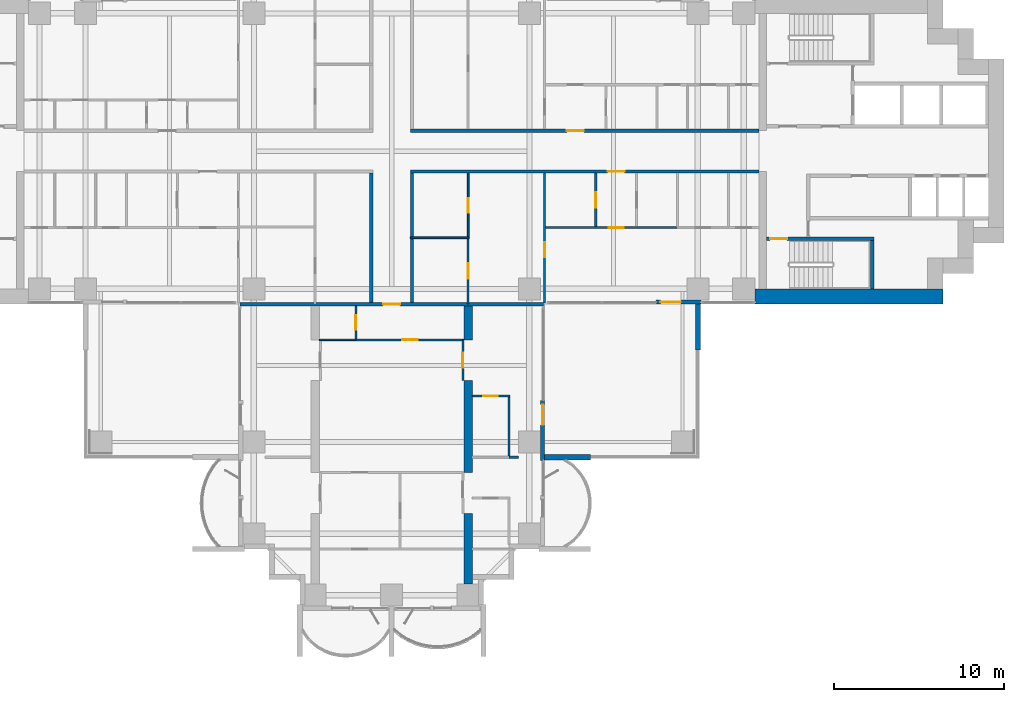
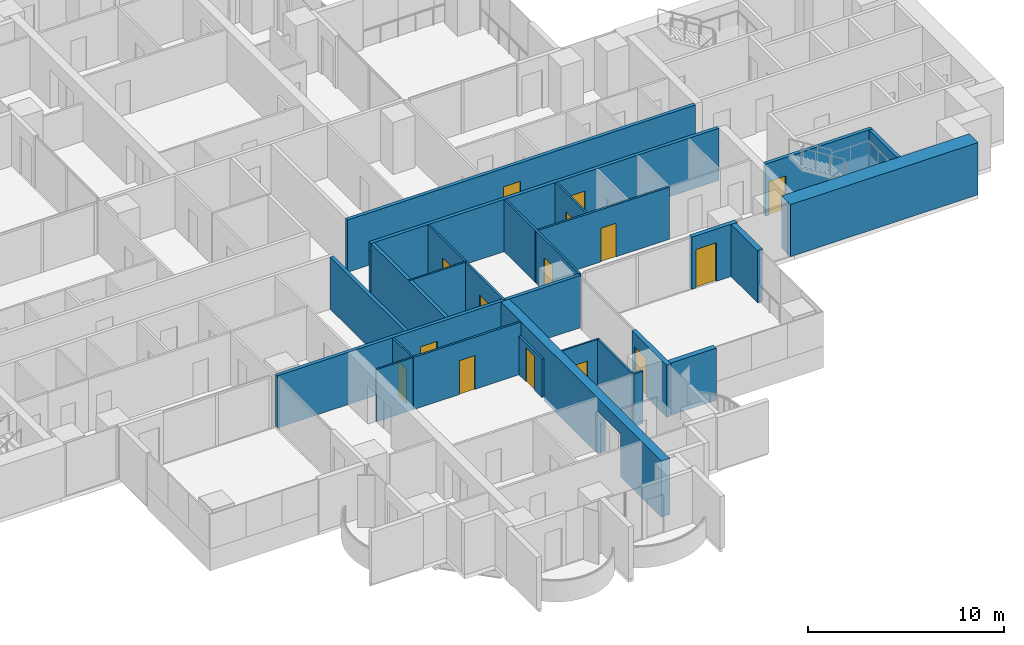
# One storey, part 12 of 21: 26 walls, 15 doors, 15 openings.
"""IFC4 building model written with IfcOpenShell, lengths in metres."""

from ifc_helpers import new_model, si_unit, direction, frame, frame_2d, origin, place, context, subcontext, project, spatial, polyline, rectangle, outline, extrude, material, layer, layer_set, material_profile, profile_set, type_object, element, fill, save


model = new_model("IFC4")

# Units and contexts
model_context = context("Model", 3, precision=1e-05, world=origin(), true_north=direction((0.0, 1.0)))
body_context = subcontext(model_context, "Body", "Model", "MODEL_VIEW")
ifc_project = project(units=[si_unit("LENGTHUNIT", "METRE"), si_unit("AREAUNIT", "SQUARE_METRE"), si_unit("VOLUMEUNIT", "CUBIC_METRE"), si_unit("PLANEANGLEUNIT", "RADIAN"), si_unit("MASSUNIT", "GRAM", prefix="KILO")], contexts=[model_context])

# Site, building, storey
site_placement = place(None, origin())
site = spatial("IfcSite", under=ifc_project, at=site_placement, CompositionType="ELEMENT")
building_placement = place(site_placement, origin())
building = spatial("IfcBuilding", under=site, at=building_placement, Name="Perihelion Cross Residences", CompositionType="ELEMENT")
storey_placement = place(building_placement, frame((0.0, 0.0, 54.0)))
storey = spatial("IfcBuildingStorey", under=building, at=storey_placement, Name="L10", CompositionType="ELEMENT", Elevation=54.0)

# Wall, opening, door
ifc_material_1 = material(Name="Plasterboard partition")
ifc_layer_1 = layer(ifc_material_1, 0.199951171875)
ifc_layer_set_1 = layer_set([ifc_layer_1], Name="Apartment separation wall 200")
wall_type_1 = type_object("IfcWallType", Name="Apartment separation wall 200", PredefinedType="PARTITIONING", material=ifc_layer_set_1)
wall_1_placement = place(storey_placement, frame((1.10009765625, 1.199951171875, 0.0), z_axis=(0.0, 0.0, 1.0), x_axis=(1.0, 0.0, 0.0)))
wall_1 = element("IfcWall", 1, at=wall_1_placement, inside=storey, type_object=wall_type_1, Name="Partition L10 W001", PredefinedType="PARTITIONING", context=body_context, shape_type="SweptSolid", body=[
    extrude(rectangle(XDim=20.5, YDim=0.199951171875, at=frame_2d((10.25, 0.0))), origin(), (0.0, 0.0, 1.0), 3.25),
])
opening_1_placement = place(wall_1_placement, frame((9.199951171875, 0.0, 0.0)))
opening_1 = element("IfcOpeningElement", 2, at=opening_1_placement, cuts=wall_1, Name="Opening L10.A47", PredefinedType="OPENING", context=body_context, shape_type="SweptSolid", body=[
    extrude(rectangle(XDim=1.0, YDim=2.10009765625, at=frame_2d((0.5, 1.050048828125))), frame((0.0, 0.10986328125, 0.0), z_axis=(0.0, -1.0, 0.0), x_axis=(1.0, 0.0, 0.0)), (0.0, 0.0, 1.0), 0.219970703125),
])
ifc_material_2 = material(Name="Timber door leaf", Category="wood")
door_type_1 = type_object("IfcDoorType", Name="Flat entrance door 1000 x 2100", OperationType="SINGLE_SWING_LEFT", PredefinedType="DOOR", material=ifc_material_2)
door_1_placement = place(opening_1_placement, origin())
door_1 = element("IfcDoor", 3, at=door_1_placement, inside=storey, type_object=door_type_1, Name="Door L10.A47", OperationType="SINGLE_SWING_LEFT", OverallHeight=2.10009765625, OverallWidth=1.0, PredefinedType="DOOR", context=body_context, shape_type="SweptSolid", body=[
    extrude(rectangle(XDim=1.0, YDim=2.10009765625, at=frame_2d((0.5, 1.050048828125))), frame((0.0, 0.02490234375, 0.0), z_axis=(0.0, -1.0, 0.0), x_axis=(1.0, 0.0, 0.0)), (0.0, 0.0, 1.0), 0.050048828125),
])
fill(opening_1, door_1)

wall_2_placement = place(storey_placement, frame((21.60009765625, -1.199951171875, 0.0), z_axis=(0.0, 0.0, 1.0), x_axis=(-1.0, 0.0, 0.0)))
wall_2 = element("IfcWall", 4, at=wall_2_placement, inside=storey, type_object=wall_type_1, Name="Partition L10 W003", PredefinedType="PARTITIONING", context=body_context, shape_type="SweptSolid", body=[
    extrude(rectangle(XDim=20.5, YDim=0.199951171875, at=frame_2d((10.25, 0.0))), origin(), (0.0, 0.0, 1.0), 3.25),
])
opening_2_placement = place(wall_2_placement, frame((7.89990234375, 0.0, 0.0)))
opening_2 = element("IfcOpeningElement", 5, at=opening_2_placement, cuts=wall_2, Name="Opening L10.A48", PredefinedType="OPENING", context=body_context, shape_type="SweptSolid", body=[
    extrude(rectangle(XDim=1.0, YDim=2.10009765625, at=frame_2d((0.5, 1.050048828125))), frame((0.0, 0.10986328125, 0.0), z_axis=(0.0, -1.0, 0.0), x_axis=(1.0, 0.0, 0.0)), (0.0, 0.0, 1.0), 0.219970703125),
])
door_2_placement = place(opening_2_placement, origin())
door_2 = element("IfcDoor", 6, at=door_2_placement, inside=storey, type_object=door_type_1, Name="Door L10.A48", OperationType="SINGLE_SWING_RIGHT", OverallHeight=2.10009765625, OverallWidth=1.0, PredefinedType="DOOR", context=body_context, shape_type="SweptSolid", body=[
    extrude(rectangle(XDim=1.0, YDim=2.10009765625, at=frame_2d((0.5, 1.050048828125))), frame((0.0, 0.02490234375, 0.0), z_axis=(0.0, -1.0, 0.0), x_axis=(1.0, 0.0, 0.0)), (0.0, 0.0, 1.0), 0.050048828125),
])
fill(opening_2, door_2)

# Walls
for number, where, z_axis, x_axis, name in (
    (7, (1.199951171875, -1.300048828125, 0.0), (0.0, 0.0, 1.0), (0.0, -1.0, 0.0), "Partition L10 W004"),
    (8, (-1.199951171875, -8.89990234375, 0.0), (0.0, 0.0, 1.0), (0.0, 1.0, 0.0), "Partition L10 W008"),
):
    element("IfcWall", number, at=place(storey_placement, frame(where, z_axis=z_axis, x_axis=x_axis)), inside=storey, type_object=wall_type_1, Name=name, PredefinedType="PARTITIONING", context=body_context, shape_type="SweptSolid", body=[
        extrude(rectangle(XDim=7.599853515625, YDim=0.199951171875, at=frame_2d((3.7998046875, 0.0))), origin(), (0.0, 0.0, 1.0), 3.25),
    ])

# Wall, opening, door
wall_3_placement = place(storey_placement, frame((8.919921875, -9.0, 0.0), z_axis=(0.0, 0.0, 1.0), x_axis=(-1.0, 0.0, 0.0)))
wall_3 = element("IfcWall", 9, at=wall_3_placement, inside=storey, type_object=wall_type_1, Name="Partition L10 W010", PredefinedType="PARTITIONING", context=body_context, shape_type="SweptSolid", body=[
    extrude(rectangle(XDim=17.83984375, YDim=0.199951171875, at=frame_2d((8.919921875, 0.0))), origin(), (0.0, 0.0, 1.0), 3.25),
])
opening_3_placement = place(wall_3_placement, frame((8.419921875, 0.0, 0.0)))
opening_3 = element("IfcOpeningElement", 10, at=opening_3_placement, cuts=wall_3, Name="Opening L10.A39", PredefinedType="OPENING", context=body_context, shape_type="SweptSolid", body=[
    extrude(rectangle(XDim=1.0, YDim=2.10009765625, at=frame_2d((0.5, 1.050048828125))), frame((0.0, 0.10986328125, 0.0), z_axis=(0.0, -1.0, 0.0), x_axis=(1.0, 0.0, 0.0)), (0.0, 0.0, 1.0), 0.219970703125),
])
door_3_placement = place(opening_3_placement, origin())
door_3 = element("IfcDoor", 11, at=door_3_placement, inside=storey, type_object=door_type_1, Name="Door L10.A39", OperationType="SINGLE_SWING_LEFT", OverallHeight=2.10009765625, OverallWidth=1.0, PredefinedType="DOOR", context=body_context, shape_type="SweptSolid", body=[
    extrude(rectangle(XDim=1.0, YDim=2.10009765625, at=frame_2d((0.5, 1.050048828125))), frame((0.0, 0.02490234375, 0.0), z_axis=(0.0, -1.0, 0.0), x_axis=(1.0, 0.0, 0.0)), (0.0, 0.0, 1.0), 0.050048828125),
])
fill(opening_3, door_3)

ifc_material_3 = material(Name="Concrete C30/37, bronze-clad", Category="concrete")
ifc_layer_2 = layer(ifc_material_3, 0.25)
ifc_layer_set_2 = layer_set([ifc_layer_2], Name="Bronze-clad pier wall 250")
wall_type_2 = type_object("IfcWallType", Name="Bronze-clad pier wall 250", PredefinedType="SOLIDWALL", material=ifc_layer_set_2)
wall_4_placement = place(storey_placement, frame((8.875, -18.199951171875, 0.0), z_axis=(0.0, 0.0, 1.0), x_axis=(0.0, 1.0, 0.0)))
wall_4 = element("IfcWall", 12, at=wall_4_placement, inside=storey, type_object=wall_type_2, Name="Wall FW1 L10 south side east bay 2 pier", PredefinedType="SOLIDWALL", context=body_context, shape_type="SweptSolid", body=[
    extrude(rectangle(XDim=3.550048828125, YDim=0.25, at=frame_2d((1.77490234375, 0.0))), origin(), (0.0, 0.0, 1.0), 3.25),
])
opening_4_placement = place(wall_4_placement, frame((2.10009765625, 0.0, 0.0)))
opening_4 = element("IfcOpeningElement", 13, at=opening_4_placement, cuts=wall_4, Name="Opening L10.E15", PredefinedType="OPENING", context=body_context, shape_type="SweptSolid", body=[
    extrude(rectangle(XDim=1.199951171875, YDim=2.39990234375, at=frame_2d((0.60009765625, 1.199951171875))), frame((0.0, 0.135009765625, 0.0), z_axis=(0.0, -1.0, 0.0), x_axis=(1.0, 0.0, 0.0)), (0.0, 0.0, 1.0), 0.27001953125),
])
ifc_material_4 = material(Name="Bronze anodised aluminium, glazed", Category="aluminium")
door_type_2 = type_object("IfcDoorType", Name="Balcony door 1200 x 2400", OperationType="NOTDEFINED", PredefinedType="DOOR", material=ifc_material_4)
door_4_placement = place(opening_4_placement, origin())
door_4 = element("IfcDoor", 14, at=door_4_placement, inside=storey, type_object=door_type_2, Name="Door L10.E15 south side east bay 2", OperationType="SINGLE_SWING_RIGHT", OverallHeight=2.39990234375, OverallWidth=1.199951171875, PredefinedType="DOOR", context=body_context, shape_type="SweptSolid", body=[
    extrude(rectangle(XDim=1.199951171875, YDim=2.39990234375, at=frame_2d((0.60009765625, 1.199951171875))), frame((0.0, 0.02490234375, 0.0), z_axis=(0.0, -1.0, 0.0), x_axis=(1.0, 0.0, 0.0)), (0.0, 0.0, 1.0), 0.050048828125),
])
fill(opening_4, door_4)

wall_5_placement = place(storey_placement, frame((15.550048828125, -8.875, 0.0), z_axis=(0.0, 0.0, 1.0), x_axis=(1.0, 0.0, 0.0)))
wall_5 = element("IfcWall", 15, at=wall_5_placement, inside=storey, type_object=wall_type_2, Name="Wall FW1 L10 east side south bay 1 pier", PredefinedType="SOLIDWALL", context=body_context, shape_type="SweptSolid", body=[
    extrude(rectangle(XDim=2.64990234375, YDim=0.25, at=frame_2d((1.324951171875, 0.0))), origin(), (0.0, 0.0, 1.0), 3.25),
])
opening_5_placement = place(wall_5_placement, frame((0.25, 0.0, 0.0)))
opening_5 = element("IfcOpeningElement", 16, at=opening_5_placement, cuts=wall_5, Name="Opening L10.E16", PredefinedType="OPENING", context=body_context, shape_type="SweptSolid", body=[
    extrude(rectangle(XDim=1.199951171875, YDim=2.39990234375, at=frame_2d((0.60009765625, 1.199951171875))), frame((0.0, 0.135009765625, 0.0), z_axis=(0.0, -1.0, 0.0), x_axis=(1.0, 0.0, 0.0)), (0.0, 0.0, 1.0), 0.27001953125),
])
door_5_placement = place(opening_5_placement, origin())
door_5 = element("IfcDoor", 17, at=door_5_placement, inside=storey, type_object=door_type_2, Name="Door L10.E16 east side south bay 1", OperationType="SINGLE_SWING_LEFT", OverallHeight=2.39990234375, OverallWidth=1.199951171875, PredefinedType="DOOR", context=body_context, shape_type="SweptSolid", body=[
    extrude(rectangle(XDim=1.199951171875, YDim=2.39990234375, at=frame_2d((0.60009765625, 1.199951171875))), frame((0.0, 0.02490234375, 0.0), z_axis=(0.0, -1.0, 0.0), x_axis=(1.0, 0.0, 0.0)), (0.0, 0.0, 1.0), 0.050048828125),
])
fill(opening_5, door_5)

# Wall
ifc_material_5 = material(Name="Concrete C60/75", Category="concrete")
ifc_layer_3 = layer(ifc_material_5, 0.89990234375)
ifc_layer_set_3 = layer_set([ifc_layer_3], Name="Core wall, outer 900")
wall_type_3 = type_object("IfcWallType", Name="Core wall, outer 900", PredefinedType="SHEAR", material=ifc_layer_set_3)
wall_6_placement = place(storey_placement, frame((21.35009765625, -8.550048828125, 0.0), z_axis=(0.0, 0.0, 1.0), x_axis=(1.0, 0.0, 0.0)))
element("IfcWall", 18, at=wall_6_placement, inside=storey, type_object=wall_type_3, Name="East core core wall, outer", PredefinedType="SHEAR", context=body_context, shape_type="SweptSolid", body=[
    extrude(rectangle(XDim=11.0498046875, YDim=0.89990234375, at=frame_2d((5.52490234375, 0.0))), origin(), (0.0, 0.0, 1.0), 3.25),
])

# Wall, opening, door
ifc_material_6 = material(Name="Plasterboard partition")
ifc_layer_4 = layer(ifc_material_6, 0.1201171875)
ifc_layer_set_4 = layer_set([ifc_layer_4], Name="Infill panel 120")
wall_type_4 = type_object("IfcWallType", Name="Infill panel 120", PredefinedType="PARTITIONING", material=ifc_layer_set_4)
wall_7_placement = place(storey_placement, frame((4.18994140625, -11.10009765625, 0.0), z_axis=(0.0, 0.0, 1.0), x_axis=(0.0, -1.0, 0.0)))
wall_7 = element("IfcWall", 19, at=wall_7_placement, inside=storey, type_object=wall_type_4, Name="Partition L10 WI05", PredefinedType="PARTITIONING", context=body_context, shape_type="SweptSolid", body=[
    extrude(rectangle(XDim=2.39990234375, YDim=0.1201171875, at=frame_2d((1.199951171875, 0.0))), origin(), (0.0, 0.0, 1.0), 2.39990234375),
])
opening_6_placement = place(wall_7_placement, frame((0.75, 0.0, 0.0)))
opening_6 = element("IfcOpeningElement", 20, at=opening_6_placement, cuts=wall_7, Name="Opening L10.A55", PredefinedType="OPENING", context=body_context, shape_type="SweptSolid", body=[
    extrude(rectangle(XDim=0.89990234375, YDim=2.10009765625, at=frame_2d((0.449951171875, 1.050048828125))), frame((0.0, 0.070068359375, 0.0), z_axis=(0.0, -1.0, 0.0), x_axis=(1.0, 0.0, 0.0)), (0.0, 0.0, 1.0), 0.14013671875),
])
ifc_material_7 = material(Name="Timber door leaf", Category="wood")
door_type_3 = type_object("IfcDoorType", Name="Interior room door 900 x 2100", OperationType="SINGLE_SWING_LEFT", PredefinedType="DOOR", material=ifc_material_7)
door_6_placement = place(opening_6_placement, origin())
door_6 = element("IfcDoor", 21, at=door_6_placement, inside=storey, type_object=door_type_3, Name="Door L10.A55", OperationType="SINGLE_SWING_RIGHT", OverallHeight=2.10009765625, OverallWidth=0.89990234375, PredefinedType="DOOR", context=body_context, shape_type="SweptSolid", body=[
    extrude(rectangle(XDim=0.89990234375, YDim=2.10009765625, at=frame_2d((0.449951171875, 1.050048828125))), frame((0.0, 0.02490234375, 0.0), z_axis=(0.0, -1.0, 0.0), x_axis=(1.0, 0.0, 0.0)), (0.0, 0.0, 1.0), 0.050048828125),
])
fill(opening_6, door_6)

ifc_material_8 = material(Name="Plasterboard partition")
ifc_layer_5 = layer(ifc_material_8, 0.1201171875)
ifc_layer_set_5 = layer_set([ifc_layer_5], Name="Partition wall 120")
wall_type_5 = type_object("IfcWallType", Name="Partition wall 120", PredefinedType="PARTITIONING", material=ifc_layer_set_5)
wall_8_placement = place(storey_placement, frame((12.0, -1.300048828125, 0.0), z_axis=(0.0, 0.0, 1.0), x_axis=(0.0, -1.0, 0.0)))
wall_8 = element("IfcWall", 22, at=wall_8_placement, inside=storey, type_object=wall_type_5, Name="Partition L10 W020", PredefinedType="PARTITIONING", context=body_context, shape_type="SweptSolid", body=[
    extrude(rectangle(XDim=3.139892578125, YDim=0.1201171875, at=frame_2d((1.56982421875, 0.0))), origin(), (0.0, 0.0, 1.0), 3.25),
])
opening_7_placement = place(wall_8_placement, frame((1.1201171875, 0.0, 0.0)))
opening_7 = element("IfcOpeningElement", 23, at=opening_7_placement, cuts=wall_8, Name="Opening L10.A11", PredefinedType="OPENING", context=body_context, shape_type="SweptSolid", body=[
    extrude(rectangle(XDim=0.89990234375, YDim=2.10009765625, at=frame_2d((0.449951171875, 1.050048828125))), frame((0.0, 0.070068359375, 0.0), z_axis=(0.0, -1.0, 0.0), x_axis=(1.0, 0.0, 0.0)), (0.0, 0.0, 1.0), 0.14013671875),
])
door_7_placement = place(opening_7_placement, origin())
door_7 = element("IfcDoor", 24, at=door_7_placement, inside=storey, type_object=door_type_3, Name="Door L10.A11", OperationType="SINGLE_SWING_RIGHT", OverallHeight=2.10009765625, OverallWidth=0.89990234375, PredefinedType="DOOR", context=body_context, shape_type="SweptSolid", body=[
    extrude(rectangle(XDim=0.89990234375, YDim=2.10009765625, at=frame_2d((0.449951171875, 1.050048828125))), frame((0.0, 0.02490234375, 0.0), z_axis=(0.0, -1.0, 0.0), x_axis=(1.0, 0.0, 0.0)), (0.0, 0.0, 1.0), 0.050048828125),
])
fill(opening_7, door_7)

wall_9_placement = place(storey_placement, frame((16.800048828125, -4.5, 0.0), z_axis=(0.0, 0.0, 1.0), x_axis=(-1.0, 0.0, 0.0)))
wall_9 = element("IfcWall", 25, at=wall_9_placement, inside=storey, type_object=wall_type_5, Name="Partition L10 W021", PredefinedType="PARTITIONING", context=body_context, shape_type="SweptSolid", body=[
    extrude(rectangle(XDim=7.860107421875, YDim=0.1201171875, at=frame_2d((3.93017578125, 0.0))), origin(), (0.0, 0.0, 1.0), 3.25),
])
opening_8_placement = place(wall_9_placement, frame((3.14990234375, 0.0, 0.0)))
opening_8 = element("IfcOpeningElement", 26, at=opening_8_placement, cuts=wall_9, Name="Opening L10.A14", PredefinedType="OPENING", context=body_context, shape_type="SweptSolid", body=[
    extrude(rectangle(XDim=0.89990234375, YDim=2.10009765625, at=frame_2d((0.449951171875, 1.050048828125))), frame((0.0, 0.070068359375, 0.0), z_axis=(0.0, -1.0, 0.0), x_axis=(1.0, 0.0, 0.0)), (0.0, 0.0, 1.0), 0.14013671875),
])
door_8_placement = place(opening_8_placement, origin())
door_8 = element("IfcDoor", 27, at=door_8_placement, inside=storey, type_object=door_type_3, Name="Door L10.A14", OperationType="SINGLE_SWING_RIGHT", OverallHeight=2.10009765625, OverallWidth=0.89990234375, PredefinedType="DOOR", context=body_context, shape_type="SweptSolid", body=[
    extrude(rectangle(XDim=0.89990234375, YDim=2.10009765625, at=frame_2d((0.449951171875, 1.050048828125))), frame((0.0, 0.02490234375, 0.0), z_axis=(0.0, -1.0, 0.0), x_axis=(1.0, 0.0, 0.0)), (0.0, 0.0, 1.0), 0.050048828125),
])
fill(opening_8, door_8)

wall_10_placement = place(storey_placement, frame((9.0, -8.919921875, 0.0), z_axis=(0.0, 0.0, 1.0), x_axis=(0.0, 1.0, 0.0)))
wall_10 = element("IfcWall", 28, at=wall_10_placement, inside=storey, type_object=wall_type_5, Name="Partition L10 W022", PredefinedType="PARTITIONING", context=body_context, shape_type="SweptSolid", body=[
    extrude(rectangle(XDim=7.619873046875, YDim=0.1201171875, at=frame_2d((3.81005859375, 0.0))), origin(), (0.0, 0.0, 1.0), 3.25),
])
opening_9_placement = place(wall_10_placement, frame((2.669921875, 0.0, 0.0)))
opening_9 = element("IfcOpeningElement", 29, at=opening_9_placement, cuts=wall_10, Name="Opening L10.A10", PredefinedType="OPENING", context=body_context, shape_type="SweptSolid", body=[
    extrude(rectangle(XDim=0.89990234375, YDim=2.10009765625, at=frame_2d((0.449951171875, 1.050048828125))), frame((0.0, 0.070068359375, 0.0), z_axis=(0.0, -1.0, 0.0), x_axis=(1.0, 0.0, 0.0)), (0.0, 0.0, 1.0), 0.14013671875),
])
door_9_placement = place(opening_9_placement, origin())
door_9 = element("IfcDoor", 30, at=door_9_placement, inside=storey, type_object=door_type_3, Name="Door L10.A10", OperationType="SINGLE_SWING_RIGHT", OverallHeight=2.10009765625, OverallWidth=0.89990234375, PredefinedType="DOOR", context=body_context, shape_type="SweptSolid", body=[
    extrude(rectangle(XDim=0.89990234375, YDim=2.10009765625, at=frame_2d((0.449951171875, 1.050048828125))), frame((0.0, 0.02490234375, 0.0), z_axis=(0.0, -1.0, 0.0), x_axis=(1.0, 0.0, 0.0)), (0.0, 0.0, 1.0), 0.050048828125),
])
fill(opening_9, door_9)

wall_11_placement = place(storey_placement, frame((4.5, -9.0, 0.0), z_axis=(0.0, 0.0, 1.0), x_axis=(0.0, 1.0, 0.0)))
wall_11 = element("IfcWall", 31, at=wall_11_placement, inside=storey, type_object=wall_type_5, Name="Partition L10 W029", PredefinedType="PARTITIONING", context=body_context, shape_type="SweptSolid", body=[
    extrude(rectangle(XDim=3.89990234375, YDim=0.1201171875, at=frame_2d((1.949951171875, 0.0))), origin(), (0.0, 0.0, 1.0), 3.25),
])
opening_10_placement = place(wall_11_placement, frame((1.5, 0.0, 0.0)))
opening_10 = element("IfcOpeningElement", 32, at=opening_10_placement, cuts=wall_11, Name="Opening L10.A12", PredefinedType="OPENING", context=body_context, shape_type="SweptSolid", body=[
    extrude(rectangle(XDim=0.89990234375, YDim=2.10009765625, at=frame_2d((0.449951171875, 1.050048828125))), frame((0.0, 0.070068359375, 0.0), z_axis=(0.0, -1.0, 0.0), x_axis=(1.0, 0.0, 0.0)), (0.0, 0.0, 1.0), 0.14013671875),
])
door_10_placement = place(opening_10_placement, origin())
door_10 = element("IfcDoor", 33, at=door_10_placement, inside=storey, type_object=door_type_3, Name="Door L10.A12", OperationType="SINGLE_SWING_LEFT", OverallHeight=2.10009765625, OverallWidth=0.89990234375, PredefinedType="DOOR", context=body_context, shape_type="SweptSolid", body=[
    extrude(rectangle(XDim=0.89990234375, YDim=2.10009765625, at=frame_2d((0.449951171875, 1.050048828125))), frame((0.0, 0.02490234375, 0.0), z_axis=(0.0, -1.0, 0.0), x_axis=(1.0, 0.0, 0.0)), (0.0, 0.0, 1.0), 0.050048828125),
])
fill(opening_10, door_10)

wall_12_placement = place(storey_placement, frame((4.25, -11.10009765625, 0.0), z_axis=(0.0, 0.0, 1.0), x_axis=(-1.0, 0.0, 0.0)))
wall_12 = element("IfcWall", 34, at=wall_12_placement, inside=storey, type_object=wall_type_5, Name="Partition L10 W067", PredefinedType="PARTITIONING", context=body_context, shape_type="SweptSolid", body=[
    extrude(rectangle(XDim=6.35009765625, YDim=0.1201171875, at=frame_2d((3.175048828125, 0.0))), origin(), (0.0, 0.0, 1.0), 3.25),
])
opening_11_placement = place(wall_12_placement, frame((2.72509765625, 0.0, 0.0)))
opening_11 = element("IfcOpeningElement", 35, at=opening_11_placement, cuts=wall_12, Name="Opening L10.A41", PredefinedType="OPENING", context=body_context, shape_type="SweptSolid", body=[
    extrude(rectangle(XDim=0.89990234375, YDim=2.10009765625, at=frame_2d((0.449951171875, 1.050048828125))), frame((0.0, 0.070068359375, 0.0), z_axis=(0.0, -1.0, 0.0), x_axis=(1.0, 0.0, 0.0)), (0.0, 0.0, 1.0), 0.14013671875),
])
door_11_placement = place(opening_11_placement, origin())
door_11 = element("IfcDoor", 36, at=door_11_placement, inside=storey, type_object=door_type_3, Name="Door L10.A41", OperationType="SINGLE_SWING_RIGHT", OverallHeight=2.10009765625, OverallWidth=0.89990234375, PredefinedType="DOOR", context=body_context, shape_type="SweptSolid", body=[
    extrude(rectangle(XDim=0.89990234375, YDim=2.10009765625, at=frame_2d((0.449951171875, 1.050048828125))), frame((0.0, 0.02490234375, 0.0), z_axis=(0.0, -1.0, 0.0), x_axis=(1.0, 0.0, 0.0)), (0.0, 0.0, 1.0), 0.050048828125),
])
fill(opening_11, door_11)

# Walls
wall_13_placement = place(storey_placement, frame((7.449951171875, -18.0, 0.0), z_axis=(0.0, 0.0, 1.0), x_axis=(-1.0, 0.0, 0.0)))
element("IfcWall", 37, at=wall_13_placement, inside=storey, type_object=wall_type_5, Name="Partition L10 W074", PredefinedType="PARTITIONING", context=body_context, shape_type="SweptSolid", body=[
    extrude(rectangle(XDim=0.550048828125, YDim=0.1201171875, at=frame_2d((0.27490234375, 0.0))), origin(), (0.0, 0.0, 1.0), 3.25),
])
ifc_material_9 = material(Name="Precast concrete C50/60", Category="concrete")
ifc_layer_6 = layer(ifc_material_9, 0.300048828125)
ifc_layer_set_6 = layer_set([ifc_layer_6], Name="Precast concrete C50/60 blade wall 300")
wall_type_6 = type_object("IfcWallType", Name="Precast concrete C50/60 blade wall 300", PredefinedType="SOLIDWALL", material=ifc_layer_set_6)
wall_14_placement = place(storey_placement, frame((9.0, -18.0, 0.0), z_axis=(0.0, 0.0, 1.0), x_axis=(1.0, 0.0, 0.0)))
element("IfcWall", 38, at=wall_14_placement, inside=storey, type_object=wall_type_6, Name="Wall BL1 L10 no. 15", PredefinedType="SOLIDWALL", context=body_context, shape_type="SweptSolid", body=[
    extrude(rectangle(XDim=2.699951171875, YDim=0.300048828125, at=frame_2d((1.35009765625, 0.0))), origin(), (0.0, 0.0, 1.0), 3.25),
])
wall_15_placement = place(storey_placement, frame((18.0, -8.75, 0.0), z_axis=(0.0, 0.0, 1.0), x_axis=(0.0, -1.0, 0.0)))
element("IfcWall", 39, at=wall_15_placement, inside=storey, type_object=wall_type_6, Name="Wall BL1 L10 no. 11", PredefinedType="SOLIDWALL", context=body_context, shape_type="SweptSolid", body=[
    extrude(rectangle(XDim=2.949951171875, YDim=0.300048828125, at=frame_2d((1.47509765625, 0.0))), origin(), (0.0, 0.0, 1.0), 3.25),
])

# Wall, opening, door
ifc_material_10 = material(Name="Concrete C50/60", Category="concrete")
ifc_layer_7 = layer(ifc_material_10, 0.199951171875)
ifc_layer_set_7 = layer_set([ifc_layer_7], Name="Stair wall 200")
wall_type_7 = type_object("IfcWallType", Name="Stair wall 200", PredefinedType="SOLIDWALL", material=ifc_layer_set_7)
wall_16_placement = place(storey_placement, frame((22.050048828125, -5.14990234375, 0.0), z_axis=(0.0, 0.0, 1.0), x_axis=(1.0, 0.0, 0.0)))
wall_16 = element("IfcWall", 40, at=wall_16_placement, inside=storey, type_object=wall_type_7, Name="East core stair wall", PredefinedType="SOLIDWALL", context=body_context, shape_type="SweptSolid", body=[
    extrude(rectangle(XDim=6.300048828125, YDim=0.199951171875, at=frame_2d((3.14990234375, 0.0))), origin(), (0.0, 0.0, 1.0), 3.25),
])
opening_12_placement = place(wall_16_placement, frame((0.199951171875, 0.0, 0.0)))
opening_12 = element("IfcOpeningElement", 41, at=opening_12_placement, cuts=wall_16, Name="Opening L10.C05", PredefinedType="OPENING", context=body_context, shape_type="SweptSolid", body=[
    extrude(rectangle(XDim=1.0, YDim=2.10009765625, at=frame_2d((0.5, 1.050048828125))), frame((0.0, 0.10986328125, 0.0), z_axis=(0.0, -1.0, 0.0), x_axis=(1.0, 0.0, 0.0)), (0.0, 0.0, 1.0), 0.219970703125),
])
ifc_material_11 = material(Name="Steel, powder coated", Category="steel")
door_type_4 = type_object("IfcDoorType", Name="Stair door 1000", OperationType="SINGLE_SWING_LEFT", PredefinedType="DOOR", material=ifc_material_11)
door_12_placement = place(opening_12_placement, origin())
door_12 = element("IfcDoor", 42, at=door_12_placement, inside=storey, type_object=door_type_4, Name="East core stair door", OperationType="SINGLE_SWING_LEFT", OverallHeight=2.10009765625, OverallWidth=1.0, PredefinedType="DOOR", context=body_context, shape_type="SweptSolid", body=[
    extrude(rectangle(XDim=1.0, YDim=2.10009765625, at=frame_2d((0.5, 1.050048828125))), frame((0.0, 0.02490234375, 0.0), z_axis=(0.0, -1.0, 0.0), x_axis=(1.0, 0.0, 0.0)), (0.0, 0.0, 1.0), 0.050048828125),
])
fill(opening_12, door_12)

# Walls
wall_17_placement = place(storey_placement, frame((28.25, -8.10009765625, 0.0), z_axis=(0.0, 0.0, 1.0), x_axis=(0.0, 1.0, 0.0)))
element("IfcWall", 43, at=wall_17_placement, inside=storey, type_object=wall_type_7, Name="East core stair wall", PredefinedType="SOLIDWALL", context=body_context, shape_type="SweptSolid", body=[
    extrude(rectangle(XDim=2.85009765625, YDim=0.199951171875, at=frame_2d((1.425048828125, 0.0))), origin(), (0.0, 0.0, 1.0), 3.25),
])
ifc_material_12 = material(Name="Concrete C60/75", Category="concrete")
ifc_material_profile = material_profile(ifc_material_12, outline(polyline([(0.0, 0.0), (4.14990234375, 0.0), (4.14990234375, 2.64990234375), (6.550048828125, 2.64990234375), (6.550048828125, 0.0), (11.949951171875, 0.0), (11.949951171875, 2.64990234375), (14.35009765625, 2.64990234375), (14.35009765625, 0.0), (16.449951171875, 0.0), (16.449951171875, 3.5), (0.0, 3.5), (0.0, 0.0)])), Name="Tip spine wall")
ifc_profile_set = profile_set([ifc_material_profile], Name="Concrete C60/75")
wall_type_8 = type_object("IfcWallType", Name="Tip spine wall 500 with 2 door openings 16450 long 3500 high concrete C60/75 hand A", PredefinedType="SHEAR", material=ifc_profile_set)
wall_18_placement = place(storey_placement, frame((4.25, -25.449951171875, -0.25), z_axis=(1.0, 0.0, 0.0), x_axis=(0.0, 1.0, 0.0)))
element("IfcWall", 44, at=wall_18_placement, inside=storey, type_object=wall_type_8, Name="Shear wall SW24 L10 south east", PredefinedType="SHEAR", context=body_context, shape_type="SweptSolid", body=[
    extrude(outline(polyline([(0.0, 0.0), (4.14990234375, 0.0), (4.14990234375, 2.64990234375), (6.550048828125, 2.64990234375), (6.550048828125, 0.0), (11.949951171875, 0.0), (11.949951171875, 2.64990234375), (14.35009765625, 2.64990234375), (14.35009765625, 0.0), (16.449951171875, 0.0), (16.449951171875, 3.5), (0.0, 3.5), (0.0, 0.0)])), origin(), (0.0, 0.0, 1.0), 0.5),
])

# Wall, opening, door
ifc_material_13 = material(Name="Plasterboard partition")
ifc_layer_8 = layer(ifc_material_13, 0.10009765625)
ifc_layer_set_8 = layer_set([ifc_layer_8], Name="Wet room wall 100")
wall_type_9 = type_object("IfcWallType", Name="Wet room wall 100", PredefinedType="PARTITIONING", material=ifc_layer_set_8)
wall_19_placement = place(storey_placement, frame((4.5, -5.10009765625, 0.0), z_axis=(0.0, 0.0, 1.0), x_axis=(0.0, 1.0, 0.0)))
wall_19 = element("IfcWall", 45, at=wall_19_placement, inside=storey, type_object=wall_type_9, Name="Partition L10 W028", PredefinedType="PARTITIONING", context=body_context, shape_type="SweptSolid", body=[
    extrude(rectangle(XDim=3.800048828125, YDim=0.10009765625, at=frame_2d((1.89990234375, 0.0))), origin(), (0.0, 0.0, 1.0), 3.25),
])
opening_13_placement = place(wall_19_placement, frame((1.47509765625, 0.0, 0.0)))
opening_13 = element("IfcOpeningElement", 46, at=opening_13_placement, cuts=wall_19, Name="Opening L10.A09", PredefinedType="OPENING", context=body_context, shape_type="SweptSolid", body=[
    extrude(rectangle(XDim=0.85009765625, YDim=2.10009765625, at=frame_2d((0.425048828125, 1.050048828125))), frame((0.0, 0.06005859375, 0.0), z_axis=(0.0, -1.0, 0.0), x_axis=(1.0, 0.0, 0.0)), (0.0, 0.0, 1.0), 0.1201171875),
])
ifc_material_14 = material(Name="Timber door leaf", Category="wood")
door_type_5 = type_object("IfcDoorType", Name="Interior bathroom door 850 x 2100", OperationType="SINGLE_SWING_LEFT", PredefinedType="DOOR", material=ifc_material_14)
door_13_placement = place(opening_13_placement, origin())
door_13 = element("IfcDoor", 47, at=door_13_placement, inside=storey, type_object=door_type_5, Name="Door L10.A09", OperationType="SINGLE_SWING_RIGHT", OverallHeight=2.10009765625, OverallWidth=0.85009765625, PredefinedType="DOOR", context=body_context, shape_type="SweptSolid", body=[
    extrude(rectangle(XDim=0.85009765625, YDim=2.10009765625, at=frame_2d((0.425048828125, 1.050048828125))), frame((0.0, 0.02490234375, 0.0), z_axis=(0.0, -1.0, 0.0), x_axis=(1.0, 0.0, 0.0)), (0.0, 0.0, 1.0), 0.050048828125),
])
fill(opening_13, door_13)

# Wall
wall_20_placement = place(storey_placement, frame((4.56005859375, -5.10009765625, 0.0), z_axis=(0.0, 0.0, 1.0), x_axis=(-1.0, 0.0, 0.0)))
element("IfcWall", 48, at=wall_20_placement, inside=storey, type_object=wall_type_9, Name="Partition L10 W030", PredefinedType="PARTITIONING", context=body_context, shape_type="SweptSolid", body=[
    extrude(rectangle(XDim=3.4599609375, YDim=0.10009765625, at=frame_2d((1.72998046875, 0.0))), origin(), (0.0, 0.0, 1.0), 3.25),
])

# Wall, opening, door
wall_21_placement = place(storey_placement, frame((-2.10009765625, -11.0400390625, 0.0), z_axis=(0.0, 0.0, 1.0), x_axis=(0.0, 1.0, 0.0)))
wall_21 = element("IfcWall", 49, at=wall_21_placement, inside=storey, type_object=wall_type_9, Name="Partition L10 W066", PredefinedType="PARTITIONING", context=body_context, shape_type="SweptSolid", body=[
    extrude(rectangle(XDim=1.93994140625, YDim=0.10009765625, at=frame_2d((0.969970703125, 0.0))), origin(), (0.0, 0.0, 1.0), 3.25),
])
opening_14_placement = place(wall_21_placement, frame((0.544921875, 0.0, 0.0)))
opening_14 = element("IfcOpeningElement", 50, at=opening_14_placement, cuts=wall_21, Name="Opening L10.A40", PredefinedType="OPENING", context=body_context, shape_type="SweptSolid", body=[
    extrude(rectangle(XDim=0.85009765625, YDim=2.10009765625, at=frame_2d((0.425048828125, 1.050048828125))), frame((0.0, 0.06005859375, 0.0), z_axis=(0.0, -1.0, 0.0), x_axis=(1.0, 0.0, 0.0)), (0.0, 0.0, 1.0), 0.1201171875),
])
door_14_placement = place(opening_14_placement, origin())
door_14 = element("IfcDoor", 51, at=door_14_placement, inside=storey, type_object=door_type_5, Name="Door L10.A40", OperationType="SINGLE_SWING_RIGHT", OverallHeight=2.10009765625, OverallWidth=0.85009765625, PredefinedType="DOOR", context=body_context, shape_type="SweptSolid", body=[
    extrude(rectangle(XDim=0.85009765625, YDim=2.10009765625, at=frame_2d((0.425048828125, 1.050048828125))), frame((0.0, 0.02490234375, 0.0), z_axis=(0.0, -1.0, 0.0), x_axis=(1.0, 0.0, 0.0)), (0.0, 0.0, 1.0), 0.050048828125),
])
fill(opening_14, door_14)

# Walls
wall_22_placement = place(storey_placement, frame((-2.10009765625, -11.10009765625, 0.0), z_axis=(0.0, 0.0, 1.0), x_axis=(-1.0, 0.0, 0.0)))
element("IfcWall", 52, at=wall_22_placement, inside=storey, type_object=wall_type_9, Name="Partition L10 W068", PredefinedType="PARTITIONING", context=body_context, shape_type="SweptSolid", body=[
    extrude(rectangle(XDim=2.14990234375, YDim=0.10009765625, at=frame_2d((1.074951171875, 0.0))), origin(), (0.0, 0.0, 1.0), 3.25),
])
wall_23_placement = place(storey_placement, frame((6.89990234375, -17.93994140625, 0.0), z_axis=(0.0, 0.0, 1.0), x_axis=(0.0, 1.0, 0.0)))
element("IfcWall", 53, at=wall_23_placement, inside=storey, type_object=wall_type_9, Name="Partition L10 W072", PredefinedType="PARTITIONING", context=body_context, shape_type="SweptSolid", body=[
    extrude(rectangle(XDim=3.489990234375, YDim=0.10009765625, at=frame_2d((1.7451171875, 0.0))), origin(), (0.0, 0.0, 1.0), 3.25),
])

# Wall, opening, door
wall_24_placement = place(storey_placement, frame((6.949951171875, -14.39990234375, 0.0), z_axis=(0.0, 0.0, 1.0), x_axis=(-1.0, 0.0, 0.0)))
wall_24 = element("IfcWall", 54, at=wall_24_placement, inside=storey, type_object=wall_type_9, Name="Partition L10 W073", PredefinedType="PARTITIONING", context=body_context, shape_type="SweptSolid", body=[
    extrude(rectangle(XDim=2.199951171875, YDim=0.10009765625, at=frame_2d((1.10009765625, 0.0))), origin(), (0.0, 0.0, 1.0), 3.25),
])
opening_15_placement = place(wall_24_placement, frame((0.699951171875, 0.0, 0.0)))
opening_15 = element("IfcOpeningElement", 55, at=opening_15_placement, cuts=wall_24, Name="Opening L10.A45", PredefinedType="OPENING", context=body_context, shape_type="SweptSolid", body=[
    extrude(rectangle(XDim=0.85009765625, YDim=2.10009765625, at=frame_2d((0.425048828125, 1.050048828125))), frame((0.0, 0.06005859375, 0.0), z_axis=(0.0, -1.0, 0.0), x_axis=(1.0, 0.0, 0.0)), (0.0, 0.0, 1.0), 0.1201171875),
])
door_15_placement = place(opening_15_placement, origin())
door_15 = element("IfcDoor", 56, at=door_15_placement, inside=storey, type_object=door_type_5, Name="Door L10.A45", OperationType="SINGLE_SWING_LEFT", OverallHeight=2.10009765625, OverallWidth=0.85009765625, PredefinedType="DOOR", context=body_context, shape_type="SweptSolid", body=[
    extrude(rectangle(XDim=0.85009765625, YDim=2.10009765625, at=frame_2d((0.425048828125, 1.050048828125))), frame((0.0, 0.02490234375, 0.0), z_axis=(0.0, -1.0, 0.0), x_axis=(1.0, 0.0, 0.0)), (0.0, 0.0, 1.0), 0.050048828125),
])
fill(opening_15, door_15)

save(model, "model.ifc")
